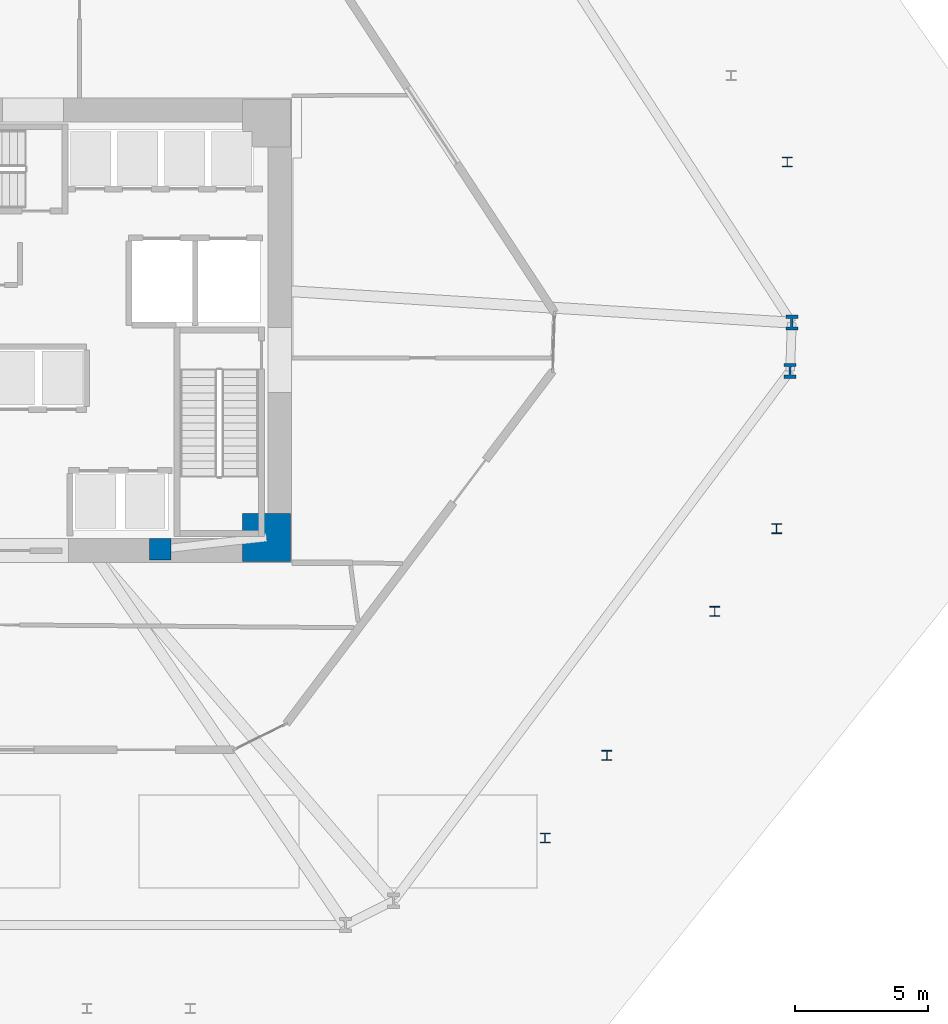
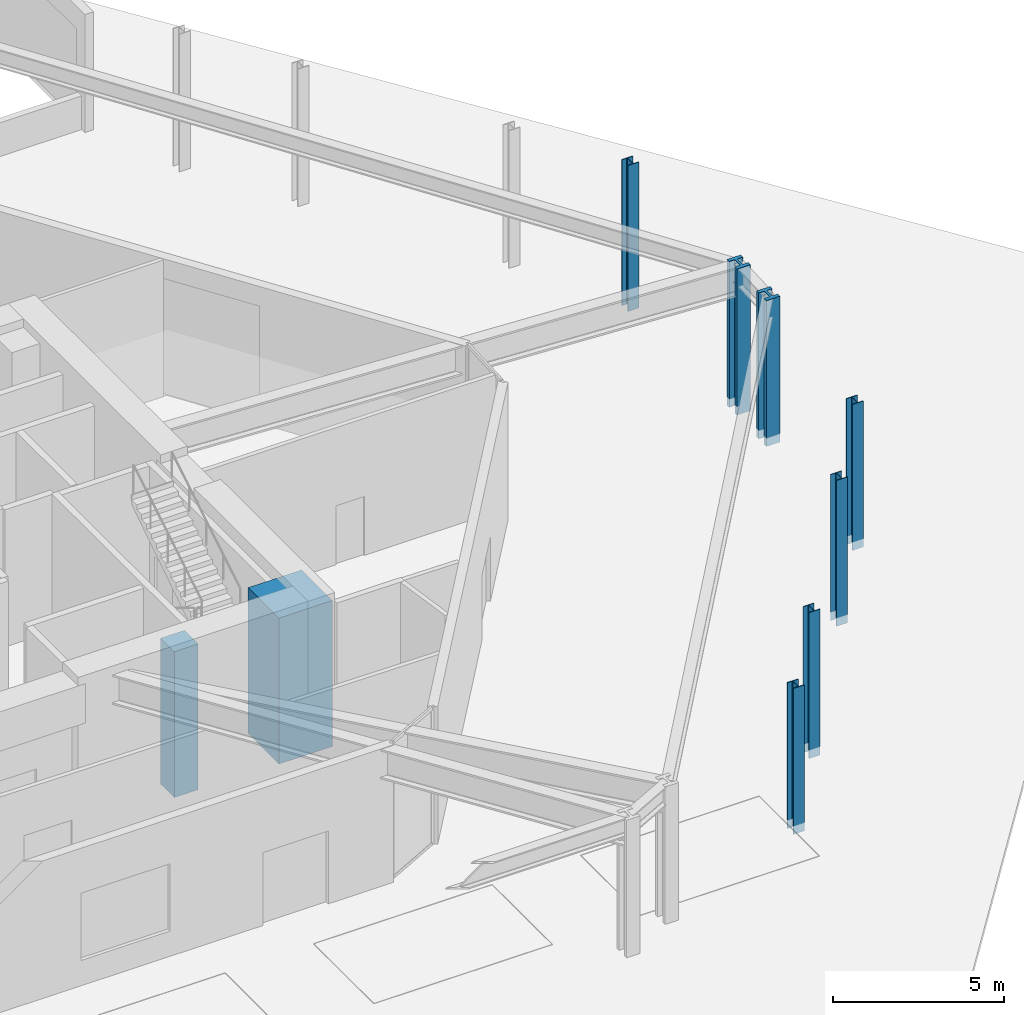
# One storey, part 2 of 18: 9 columns.
"""IFC4 building model written with IfcOpenShell, lengths in metres."""

from ifc_helpers import new_model, si_unit, direction, frame, origin, origin_2d, place, context, subcontext, project, spatial, rectangle, i_section, extrude, source, transform, mapped, material, material_profile, profile_set, type_object, type_shapes, element, save


model = new_model("IFC4")

# Units and contexts
model_context = context("Model", 3, precision=1e-05, world=origin(), true_north=direction((0.0, 1.0)))
body_context = subcontext(model_context, "Body", "Model", "MODEL_VIEW")
ifc_project = project(units=[si_unit("LENGTHUNIT", "METRE"), si_unit("AREAUNIT", "SQUARE_METRE"), si_unit("VOLUMEUNIT", "CUBIC_METRE"), si_unit("PLANEANGLEUNIT", "RADIAN"), si_unit("MASSUNIT", "GRAM", prefix="KILO")], contexts=[model_context])

# Site, building, storey
site_placement = place(None, origin())
site = spatial("IfcSite", under=ifc_project, at=site_placement, CompositionType="ELEMENT")
building_placement = place(site_placement, origin())
building = spatial("IfcBuilding", under=site, at=building_placement, Name="Durnholm Broadcast Tower", CompositionType="ELEMENT")
storey_placement = place(building_placement, origin())
storey = spatial("IfcBuildingStorey", under=building, at=storey_placement, Name="L00", CompositionType="ELEMENT", Elevation=0.0)

# Columns
ifc_material_1 = material(Name="Concrete C70/85", Category="concrete")
ifc_material_profile_1 = material_profile(ifc_material_1, rectangle(XDim=1.800048828125, YDim=1.800048828125, at=origin_2d()), Name="RC1800X1800")
ifc_profile_set_1 = profile_set([ifc_material_profile_1], Name="Concrete C70/85")
column_type_1 = type_object("IfcColumnType", Name="COL-CC-1800", PredefinedType="COLUMN", material=ifc_profile_set_1)
shared_shape_1 = source(origin(), body_context, "Body", "SweptSolid", [
    extrude(rectangle(XDim=1.800048828125, YDim=1.800048828125, at=origin_2d()), origin(), (0.0, 0.0, 1.0), 5.199951171875),
])
type_shapes(column_type_1, [shared_shape_1])
column_1_placement = place(storey_placement, frame((9.800048828125, -7.800048828125, -0.300048828125), z_axis=(0.0, 0.0, 1.0), x_axis=(1.0, 0.0, 0.0)))
element("IfcColumn", 1, at=column_1_placement, inside=storey, type_object=column_type_1, Name="L00 core corner column 2", PredefinedType="COLUMN", context=body_context, shape_type="MappedRepresentation", body=[
    mapped(shared_shape_1, transform((0.0, 0.0, 0.0), x_axis=(1.0, 0.0, 0.0), y_axis=(0.0, 1.0, 0.0), z_axis=(0.0, 0.0, 1.0), scale=1.0)),
])
ifc_material_profile_2 = material_profile(ifc_material_1, rectangle(XDim=0.800048828125, YDim=0.800048828125, at=origin_2d()), Name="RC800X800")
ifc_profile_set_2 = profile_set([ifc_material_profile_2], Name="Concrete C70/85")
column_type_2 = type_object("IfcColumnType", Name="COL-CP-800", PredefinedType="PILASTER", material=ifc_profile_set_2)
shared_shape_2 = source(origin(), body_context, "Body", "SweptSolid", [
    extrude(rectangle(XDim=0.800048828125, YDim=0.800048828125, at=origin_2d()), origin(), (0.0, 0.0, 1.0), 5.199951171875),
])
type_shapes(column_type_2, [shared_shape_2])
column_2_placement = place(storey_placement, frame((5.800048828125, -8.25, -0.300048828125), z_axis=(0.0, 0.0, 1.0), x_axis=(1.0, 0.0, 0.0)))
element("IfcColumn", 2, at=column_2_placement, inside=storey, type_object=column_type_2, Name="L00 core hall structural pilaster 2", PredefinedType="PILASTER", context=body_context, shape_type="MappedRepresentation", body=[
    mapped(shared_shape_2, transform((0.0, 0.0, 0.0), x_axis=(1.0, 0.0, 0.0), y_axis=(0.0, 1.0, 0.0), z_axis=(0.0, 0.0, 1.0), scale=1.0)),
])
ifc_material_2 = material(Name="Steel ASTM A913 Grade 65", Category="steel")
ifc_material_profile_3 = material_profile(ifc_material_2, i_section(OverallWidth=0.454345703125, OverallDepth=0.569091796875, WebThickness=0.077880859375, FlangeThickness=0.124755859375, FilletRadius=0.030517578125, at=origin_2d()), Name="W14X730")
ifc_profile_set_3 = profile_set([ifc_material_profile_3], Name="Steel ASTM A913 Grade 65")
column_type_3 = type_object("IfcColumnType", Name="STL-SC-W14X730", PredefinedType="COLUMN", material=ifc_profile_set_3)
shared_shape_3 = source(origin(), body_context, "Body", "SweptSolid", [
    extrude(i_section(OverallWidth=0.454345703125, OverallDepth=0.569091796875, WebThickness=0.077880859375, FlangeThickness=0.124755859375, FilletRadius=0.030517578125, at=origin_2d()), origin(), (0.0, 0.0, 1.0), 5.199951171875),
])
type_shapes(column_type_3, [shared_shape_3])
for number, where, z_axis, x_axis, name in (
    (3, (29.590576171875, 0.28857421875, -0.300048828125), (0.0, 0.0, 1.0), (1.0, 0.0, 0.0), "L00 perimeter hexagonal tube column 08"),
    (4, (29.529296875, -1.530517578125, -0.300048828125), (0.0, 0.0, 1.0), (1.0, 0.0, 0.0), "L00 perimeter hexagonal tube column 09"),
):
    element("IfcColumn", number, at=place(storey_placement, frame(where, z_axis=z_axis, x_axis=x_axis)), inside=storey, type_object=column_type_3, Name=name, PredefinedType="COLUMN", context=body_context, shape_type="MappedRepresentation", body=[
        mapped(shared_shape_3, transform((0.0, 0.0, 0.0), x_axis=(1.0, 0.0, 0.0), y_axis=(0.0, 1.0, 0.0), z_axis=(0.0, 0.0, 1.0), scale=1.0)),
    ])
ifc_material_3 = material(Name="Steel ASTM A992 Grade 50", Category="steel")
ifc_material_profile_4 = material_profile(ifc_material_3, i_section(OverallWidth=0.37255859375, OverallDepth=0.367919921875, WebThickness=0.014892578125, FlangeThickness=0.02392578125, FilletRadius=0.030517578125, at=origin_2d()), Name="W14X120")
ifc_profile_set_4 = profile_set([ifc_material_profile_4], Name="Steel ASTM A992 Grade 50")
column_type_4 = type_object("IfcColumnType", Name="STL-SC-W14X120", PredefinedType="COLUMN", material=ifc_profile_set_4)
shared_shape_4 = source(origin(), body_context, "Body", "SweptSolid", [
    extrude(i_section(OverallWidth=0.37255859375, OverallDepth=0.367919921875, WebThickness=0.014892578125, FlangeThickness=0.02392578125, FilletRadius=0.030517578125, at=origin_2d()), origin(), (0.0, 0.0, 1.0), 5.199951171875),
])
type_shapes(column_type_4, [shared_shape_4])
for number, where, z_axis, x_axis, name in (
    (5, (20.2978515625, -19.123779296875, -0.300048828125), (0.0, 0.0, 1.0), (1.0, 0.0, 0.0), "L00 stand-off exoskeleton pilotis column F2.1"),
    (6, (22.62744140625, -16.0107421875, -0.300048828125), (0.0, 0.0, 1.0), (1.0, 0.0, 0.0), "L00 stand-off exoskeleton pilotis column F2.2"),
    (7, (26.6875, -10.585693359375, -0.300048828125), (0.0, 0.0, 1.0), (1.0, 0.0, 0.0), "L00 stand-off exoskeleton pilotis column F2.3"),
    (8, (29.01708984375, -7.472412109375, -0.300048828125), (0.0, 0.0, 1.0), (1.0, 0.0, 0.0), "L00 stand-off exoskeleton pilotis column F2.4"),
    (9, (29.42041015625, 6.340087890625, -0.300048828125), (0.0, 0.0, 1.0), (1.0, 0.0, 0.0), "L00 stand-off exoskeleton pilotis column F3.1"),
):
    element("IfcColumn", number, at=place(storey_placement, frame(where, z_axis=z_axis, x_axis=x_axis)), inside=storey, type_object=column_type_4, Name=name, PredefinedType="COLUMN", context=body_context, shape_type="MappedRepresentation", body=[
        mapped(shared_shape_4, transform((0.0, 0.0, 0.0), x_axis=(1.0, 0.0, 0.0), y_axis=(0.0, 1.0, 0.0), z_axis=(0.0, 0.0, 1.0), scale=1.0)),
    ])

save(model, "model.ifc")
